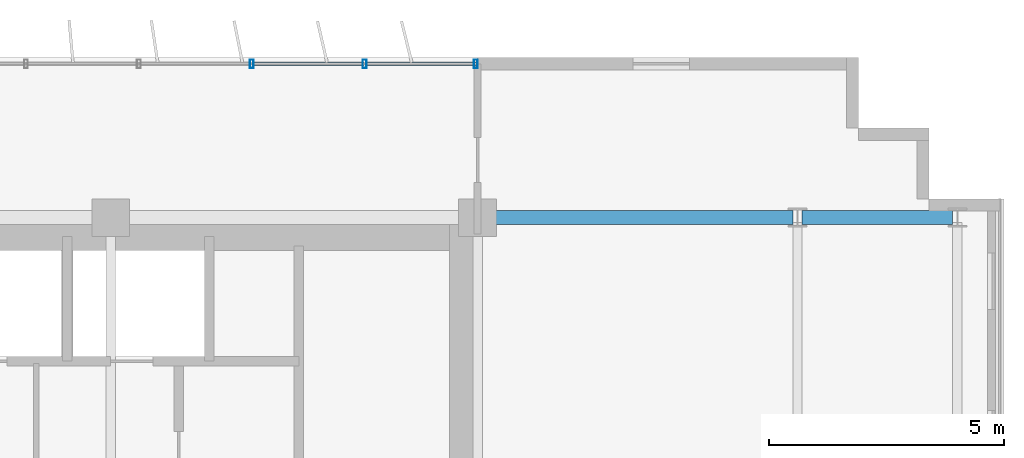
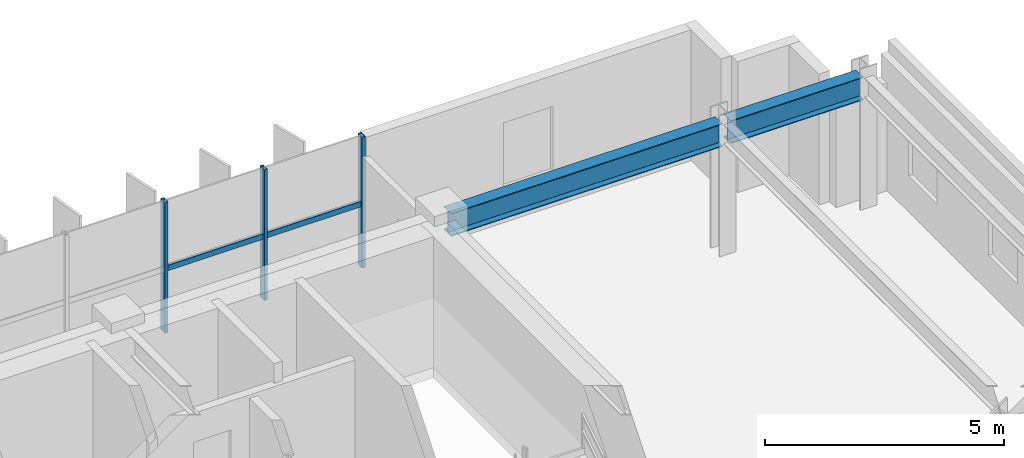
# One storey, part 11 of 21: 5 members, 2 beams, 1 element without a shape of its own.
"""IFC4 building model written with IfcOpenShell, lengths in metres."""

from ifc_helpers import new_model, si_unit, direction, frame, origin, origin_2d, place, context, subcontext, project, spatial, hollow_rectangle, i_section, extrude, source, transform, mapped, material, material_profile, profile_set, type_object, element, aggregate, save


model = new_model("IFC4")

# Units and contexts
model_context = context("Model", 3, precision=1e-05, world=origin(), true_north=direction((0.0, 1.0)))
body_context = subcontext(model_context, "Body", "Model", "MODEL_VIEW")
ifc_project = project(units=[si_unit("LENGTHUNIT", "METRE"), si_unit("AREAUNIT", "SQUARE_METRE"), si_unit("VOLUMEUNIT", "CUBIC_METRE"), si_unit("PLANEANGLEUNIT", "RADIAN"), si_unit("MASSUNIT", "GRAM", prefix="KILO")], contexts=[model_context])

# Site, building, storey
site_placement = place(None, origin())
site = spatial("IfcSite", under=ifc_project, at=site_placement, CompositionType="ELEMENT")
building_placement = place(site_placement, origin())
building = spatial("IfcBuilding", under=site, at=building_placement, Name="Trelvane Seafront Commons", CompositionType="ELEMENT")
storey_placement = place(building_placement, frame((0.0, 0.0, 103.300048828125)))
storey = spatial("IfcBuildingStorey", under=building, at=storey_placement, Name="L26", CompositionType="ELEMENT", Elevation=103.300048828125)

# Beams
ifc_material_1 = material(Name="Steel SM355 (S355)", Category="steel")
ifc_material_profile_1 = material_profile(ifc_material_1, i_section(OverallWidth=0.300048828125, OverallDepth=0.587890625, WebThickness=0.011962890625, FlangeThickness=0.02001953125, at=origin_2d()), Name="H-588x300x12x20")
ifc_profile_set_1 = profile_set([ifc_material_profile_1], Name="Steel SM355 (S355)")
beam_type = type_object("IfcBeamType", Name="STR-BM-H588", PredefinedType="BEAM", material=ifc_profile_set_1)
shared_shape_1 = source(origin(), body_context, "Body", "SweptSolid", [
    extrude(i_section(OverallWidth=0.300048828125, OverallDepth=0.587890625, WebThickness=0.011962890625, FlangeThickness=0.02001953125, at=origin_2d()), origin(), (0.0, 0.0, 1.0), 3.199951171875),
])
beam_1_placement = place(storey_placement, frame((65.699951171875, 45.10009765625, 3.0458984375), z_axis=(1.0, 0.0, 0.0), x_axis=(0.0, 1.0, 0.0)))
element("IfcBeam", 1, at=beam_1_placement, inside=storey, type_object=beam_type, Name="L26 Primary Girder G-36", PredefinedType="BEAM", context=body_context, shape_type="MappedRepresentation", body=[
    mapped(shared_shape_1, transform((0.0, 0.0, 0.0), x_axis=(1.0, 0.0, 0.0), y_axis=(0.0, 1.0, 0.0), z_axis=(0.0, 0.0, 1.0), scale=1.0)),
])
shared_shape_2 = source(origin(), body_context, "Body", "SweptSolid", [
    extrude(i_section(OverallWidth=0.300048828125, OverallDepth=0.587890625, WebThickness=0.011962890625, FlangeThickness=0.02001953125, at=origin_2d()), origin(), (0.0, 0.0, 1.0), 6.550048828125),
])
beam_2_placement = place(storey_placement, frame((58.949951171875, 45.10009765625, 3.0458984375), z_axis=(1.0, 0.0, 0.0), x_axis=(0.0, 1.0, 0.0)))
element("IfcBeam", 2, at=beam_2_placement, inside=storey, type_object=beam_type, Name="L26 Primary Girder G-35", PredefinedType="BEAM", context=body_context, shape_type="MappedRepresentation", body=[
    mapped(shared_shape_2, transform((0.0, 0.0, 0.0), x_axis=(1.0, 0.0, 0.0), y_axis=(0.0, 1.0, 0.0), z_axis=(0.0, 0.0, 1.0), scale=1.0)),
])

# Curtain wall, members
ifc_material_2 = material(Name="Anodised pale-silver aluminium", Category="aluminium")
curtain_wall_type = type_object("IfcCurtainWallType", Name="ARCH-CW4-SKYLOBBY", PredefinedType="NOTDEFINED", material=ifc_material_2)
curtain_wall_placement = place(storey_placement, origin())
curtain_wall = element("IfcCurtainWall", 3, at=curtain_wall_placement, inside=storey, type_object=curtain_wall_type, Name="CW-L26-0051", PredefinedType="NOTDEFINED")
ifc_material_profile_2 = material_profile(ifc_material_2, hollow_rectangle(XDim=0.074951171875, YDim=0.139892578125, WallThickness=0.00390625, at=origin_2d()), Name="TRAN-75x140x4")
ifc_profile_set_2 = profile_set([ifc_material_profile_2], Name="Anodised pale-silver aluminium")
member_type_1 = type_object("IfcMemberType", Name="ARCH-CW-TRAN-140", PredefinedType="USERDEFINED", material=ifc_profile_set_2)
shared_shape_3 = source(origin(), body_context, "Body", "SweptSolid", [
    extrude(hollow_rectangle(XDim=0.074951171875, YDim=0.139892578125, WallThickness=0.00390625, at=origin_2d()), origin(), (0.0, 0.0, 1.0), 2.3759765625),
])
member_1_placement = place(storey_placement, frame((54.011962890625, 48.3701171875, 1.60302734375), z_axis=(1.0, 0.0, 0.0), x_axis=(0.0, 1.0, 0.0)))
member_1 = element("IfcMember", 4, at=member_1_placement, type_object=member_type_1, Name="CW-L26-0051-T16", ObjectType="TRANSOM", PredefinedType="USERDEFINED", context=body_context, shape_type="MappedRepresentation", body=[
    mapped(shared_shape_3, transform((0.0, 0.0, 0.0), x_axis=(1.0, 0.0, 0.0), y_axis=(0.0, 1.0, 0.0), z_axis=(0.0, 0.0, 1.0), scale=1.0)),
])
member_2_placement = place(storey_placement, frame((56.412109375, 48.3701171875, 1.60302734375), z_axis=(1.0, 0.0, 0.0), x_axis=(0.0, 1.0, 0.0)))
member_2 = element("IfcMember", 5, at=member_2_placement, type_object=member_type_1, Name="CW-L26-0051-T17", ObjectType="TRANSOM", PredefinedType="USERDEFINED", context=body_context, shape_type="MappedRepresentation", body=[
    mapped(shared_shape_3, transform((0.0, 0.0, 0.0), x_axis=(1.0, 0.0, 0.0), y_axis=(0.0, 1.0, 0.0), z_axis=(0.0, 0.0, 1.0), scale=1.0)),
])
ifc_material_profile_3 = material_profile(ifc_material_2, hollow_rectangle(XDim=0.080078125, YDim=0.179931640625, WallThickness=0.00439453125, at=origin_2d()), Name="MULL-80x180x4.5")
ifc_profile_set_3 = profile_set([ifc_material_profile_3], Name="Anodised pale-silver aluminium")
member_type_2 = type_object("IfcMemberType", Name="ARCH-CW-MULL-180", PredefinedType="MULLION", material=ifc_profile_set_3)
shared_shape_4 = source(origin(), body_context, "Body", "SweptSolid", [
    extrude(hollow_rectangle(XDim=0.080078125, YDim=0.179931640625, WallThickness=0.00439453125, at=origin_2d()), origin(), (0.0, 0.0, 1.0), 3.33984375),
])
member_3_placement = place(storey_placement, frame((54.0, 48.3701171875, 0.0), z_axis=(0.0, 0.0, 1.0), x_axis=(1.0, 0.0, 0.0)))
member_3 = element("IfcMember", 6, at=member_3_placement, type_object=member_type_2, Name="CW-L26-0051-M16", PredefinedType="MULLION", context=body_context, shape_type="MappedRepresentation", body=[
    mapped(shared_shape_4, transform((0.0, 0.0, 0.0), x_axis=(1.0, 0.0, 0.0), y_axis=(0.0, 1.0, 0.0), z_axis=(0.0, 0.0, 1.0), scale=1.0)),
])
member_4_placement = place(storey_placement, frame((56.39990234375, 48.3701171875, 0.0), z_axis=(0.0, 0.0, 1.0), x_axis=(1.0, 0.0, 0.0)))
member_4 = element("IfcMember", 7, at=member_4_placement, type_object=member_type_2, Name="CW-L26-0051-M17", PredefinedType="MULLION", context=body_context, shape_type="MappedRepresentation", body=[
    mapped(shared_shape_4, transform((0.0, 0.0, 0.0), x_axis=(1.0, 0.0, 0.0), y_axis=(0.0, 1.0, 0.0), z_axis=(0.0, 0.0, 1.0), scale=1.0)),
])
member_5_placement = place(storey_placement, frame((58.760009765625, 48.3701171875, 0.0), z_axis=(0.0, 0.0, 1.0), x_axis=(1.0, 0.0, 0.0)))
member_5 = element("IfcMember", 8, at=member_5_placement, type_object=member_type_2, Name="CW-L26-0051-M18", PredefinedType="MULLION", context=body_context, shape_type="MappedRepresentation", body=[
    mapped(shared_shape_4, transform((0.0, 0.0, 0.0), x_axis=(1.0, 0.0, 0.0), y_axis=(0.0, 1.0, 0.0), z_axis=(0.0, 0.0, 1.0), scale=1.0)),
])
aggregate(curtain_wall, [member_3, member_4, member_5, member_1, member_2])

save(model, "model.ifc")
